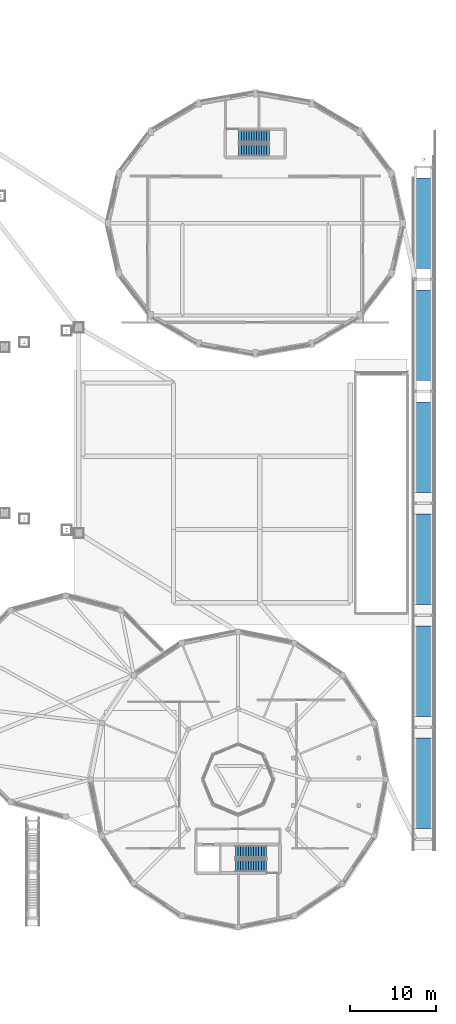
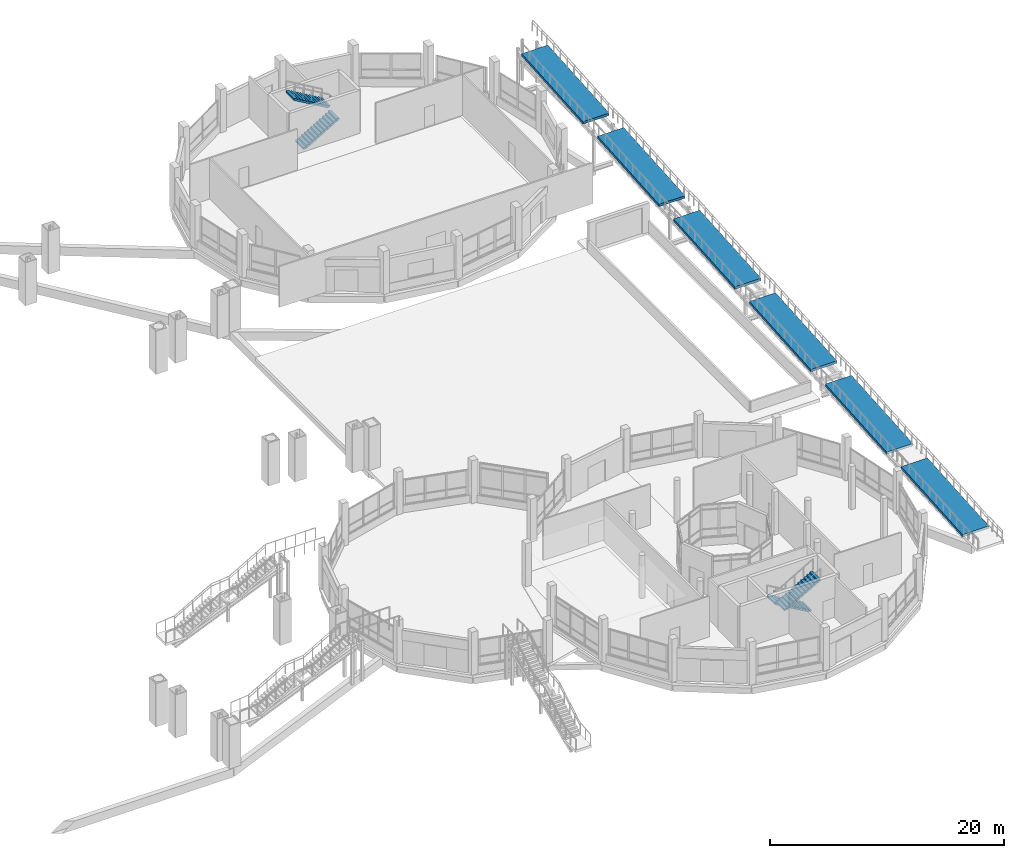
# One storey, part 115 of 129: 6 ramp flights, 4 stair flights, 3 elements without a shape of their own.
"""IFC4 building model written with IfcOpenShell, lengths in metres."""

import ifcopenshell
import ifcopenshell.guid

model = None  # the IFC model being written
_history = None  # IfcOwnerHistory: only IFC2X3 demands one
_inside = {}  # id of a spatial element -> (the spatial element, [elements in it])
_under = {}  # id of a project, library or spatial element -> (it, [spatial elements below it])
_declared = {}  # id of a project -> (the project, [libraries it declares])
_typed = {}  # id of a type object -> (the type object, [elements of that type])
_made_of = {}  # id of a material, layer set ... -> (it, [elements and type objects made of it])


def new_model(schema):
    """Start an empty IFC model of exactly this schema.

    Asked for "IFC4X3", IfcOpenShell would pick the latest addendum, in which some entities
    have other attributes; the version numbers below select the first issue.
    IFC2X3 requires an IfcOwnerHistory on every rooted entity: one is made here for all.
    """
    global model, _history
    if schema == "IFC4X3":
        model = ifcopenshell.file(schema_version=(4, 3, 0, 0))
    else:
        model = ifcopenshell.file(schema=schema)
    _inside.clear()
    _under.clear()
    _declared.clear()
    _typed.clear()
    _made_of.clear()
    _history = None
    if model.schema == "IFC2X3":
        org = make("IfcOrganization", Name="unknown")
        user = make(
            "IfcPersonAndOrganization",
            ThePerson=make("IfcPerson", FamilyName="unknown"),
            TheOrganization=org,
        )
        app = make(
            "IfcApplication",
            ApplicationDeveloper=org,
            Version="unknown",
            ApplicationFullName="unknown",
            ApplicationIdentifier="unknown",
        )
        _history = make(
            "IfcOwnerHistory",
            OwningUser=user,
            OwningApplication=app,
            ChangeAction="ADDED",
            CreationDate=0,
        )
    return model


def make(cls, **values):
    """One entity of the class cls with the attributes given. An attribute that is None is left unset."""
    return model.create_entity(
        cls, **{name: value for name, value in values.items() if value is not None}
    )


def rooted(cls, **values):
    """An entity with a GlobalId (a new one), such as an element, a storey or a relation."""
    return make(cls, GlobalId=ifcopenshell.guid.new(), OwnerHistory=_history, **values)


def si_unit(unit_type, name, prefix=None):
    """IfcSIUnit, for example si_unit("LENGTHUNIT", "METRE", prefix="MILLI")."""
    return make("IfcSIUnit", UnitType=unit_type, Prefix=prefix, Name=name)


def assignment(units):
    """IfcUnitAssignment: the units of a project."""
    return None if units is None else make("IfcUnitAssignment", Units=units)


def point(xyz):
    """IfcCartesianPoint."""
    return None if xyz is None else make("IfcCartesianPoint", Coordinates=xyz)


def direction(xyz):
    """IfcDirection."""
    return None if xyz is None else make("IfcDirection", DirectionRatios=xyz)


def frame(location, z_axis=None, x_axis=None):
    """IfcAxis2Placement3D, a coordinate frame: its origin and axes. An axis left out is left unset."""
    return make(
        "IfcAxis2Placement3D",
        Location=point(location),
        Axis=direction(z_axis),
        RefDirection=direction(x_axis),
    )


def origin():
    """The frame at (0, 0, 0) with its axes left unset."""
    return frame((0.0, 0.0, 0.0))


def place(relative_to, where):
    """IfcLocalPlacement: puts the frame where relative to a parent placement (None: the world)."""
    return make(
        "IfcLocalPlacement", PlacementRelTo=relative_to, RelativePlacement=where
    )


def context(
    kind, dimensions, precision=None, world=None, true_north=None, identifier=None
):
    """IfcGeometricRepresentationContext, for example the 3D "Model" context."""
    return make(
        "IfcGeometricRepresentationContext",
        ContextIdentifier=identifier,
        ContextType=kind,
        CoordinateSpaceDimension=dimensions,
        Precision=precision,
        WorldCoordinateSystem=world,
        TrueNorth=true_north,
    )


def subcontext(parent, identifier, kind, view, scale=None):
    """IfcGeometricRepresentationSubContext, for example "Body" below "Model"."""
    return make(
        "IfcGeometricRepresentationSubContext",
        ContextIdentifier=identifier,
        ContextType=kind,
        ParentContext=parent,
        TargetScale=scale,
        TargetView=view,
    )


def project(units=None, contexts=None):
    """IfcProject with its units and contexts."""
    return rooted(
        "IfcProject",
        Name="project",
        RepresentationContexts=contexts,
        UnitsInContext=assignment(units),
    )


def spatial(cls, under=None, at=None, **own):
    """A site, building, storey or space (cls), placed at a placement, below another one or the project."""
    s = rooted(cls, ObjectPlacement=at, **own)
    if under is not None:
        _under.setdefault(under.id(), (under, []))[1].append(s)
    return s


def polyline(points):
    """IfcPolyline through the points."""
    return make("IfcPolyline", Points=[point(p) for p in points])


def outline(outer, holes=None, kind="AREA"):
    """IfcArbitraryClosedProfileDef: a profile drawn as a closed curve; with holes, ...WithVoids."""
    if holes is None:
        return make("IfcArbitraryClosedProfileDef", ProfileType=kind, OuterCurve=outer)
    return make(
        "IfcArbitraryProfileDefWithVoids",
        ProfileType=kind,
        OuterCurve=outer,
        InnerCurves=holes,
    )


def extrude(swept, where, along, depth):
    """IfcExtrudedAreaSolid: the profile swept, set in the frame where, extruded along a direction by depth."""
    return make(
        "IfcExtrudedAreaSolid",
        SweptArea=swept,
        Position=where,
        ExtrudedDirection=direction(along),
        Depth=depth,
    )


def shape(context_of_items, identifier, shape_type, items):
    """IfcShapeRepresentation: the items that make up one representation, for example the "Body"."""
    return make(
        "IfcShapeRepresentation",
        ContextOfItems=context_of_items,
        RepresentationIdentifier=identifier,
        RepresentationType=shape_type,
        Items=items,
    )


def material(Name=None, Category=None):
    """IfcMaterial."""
    return make("IfcMaterial", Name=Name, Category=Category)


def made_of(thing, what):
    """Note that an element or type object is made of a material, layer set ...; save() writes the relation."""
    if what is not None:
        _made_of.setdefault(what.id(), (what, []))[1].append(thing)
    return thing


def type_object(cls, material=None, **own):
    """A type object (cls), such as IfcWallType, which elements share."""
    return made_of(rooted(cls, **own), material)


def element(
    cls,
    number,
    at=None,
    inside=None,
    cuts=None,
    type_object=None,
    material=None,
    context=None,
    identifier="Body",
    shape_type=None,
    held_by="IfcProductDefinitionShape",
    body=None,
    shapes=None,
    **own,
):
    """One element of the class cls, such as IfcWall. Its Tag is "e" and its number.

    at: its placement. inside: the storey or other place that contains it. cuts: it is an
    opening in that element (IfcRelVoidsElement). A single representation is given by context,
    identifier, shape_type and body (its items); several are given by shapes. held_by: the class
    of the entity that holds the representations. save() writes the other relations.
    """
    e = rooted(cls, Tag="e%d" % number, ObjectPlacement=at, **own)
    if body is not None:
        shapes = [shape(context, identifier, shape_type, body)]
    if shapes is not None:
        e.Representation = make(held_by, Representations=shapes)
    if inside is not None:
        _inside.setdefault(inside.id(), (inside, []))[1].append(e)
    if cuts is not None:
        rooted(
            "IfcRelVoidsElement", RelatingBuildingElement=cuts, RelatedOpeningElement=e
        )
    if type_object is not None:
        _typed.setdefault(type_object.id(), (type_object, []))[1].append(e)
    return made_of(e, material)


def aggregate(whole, parts):
    """IfcRelAggregates: a whole, such as a stair, and the parts it consists of."""
    return rooted("IfcRelAggregates", RelatingObject=whole, RelatedObjects=parts)


def save(model, path):
    """Write the relations noted so far, then the file.

    IfcRelAggregates (storeys below a building ...), IfcRelContainedInSpatialStructure (elements
    in a storey), IfcRelDefinesByType, IfcRelAssociatesMaterial and IfcRelDeclares: one each for
    every whole, place, type object, material and project.
    """
    for whole, parts in _under.values():
        aggregate(whole, parts)
    for where, things in _inside.values():
        rooted(
            "IfcRelContainedInSpatialStructure",
            RelatedElements=things,
            RelatingStructure=where,
        )
    for kind, things in _typed.values():
        rooted("IfcRelDefinesByType", RelatedObjects=things, RelatingType=kind)
    for what, things in _made_of.values():
        rooted("IfcRelAssociatesMaterial", RelatedObjects=things, RelatingMaterial=what)
    for by, libraries in _declared.values():
        rooted("IfcRelDeclares", RelatingContext=by, RelatedDefinitions=libraries)
    model.write(path)


model = new_model("IFC4")

# Units and contexts
model_context = context("Model", 3, precision=1e-05, world=origin(), true_north=direction((0.0, 1.0)))
body_context = subcontext(model_context, "Body", "Model", "MODEL_VIEW")
ifc_project = project(units=[si_unit("LENGTHUNIT", "METRE"), si_unit("AREAUNIT", "SQUARE_METRE"), si_unit("VOLUMEUNIT", "CUBIC_METRE"), si_unit("PLANEANGLEUNIT", "RADIAN"), si_unit("MASSUNIT", "GRAM", prefix="KILO")], contexts=[model_context])

# Site, building, storey
site_placement = place(None, origin())
site = spatial("IfcSite", under=ifc_project, at=site_placement, CompositionType="ELEMENT")
building_placement = place(site_placement, origin())
building = spatial("IfcBuilding", under=site, at=building_placement, Name="Vespera Passage Community Centre", CompositionType="ELEMENT")
storey_placement = place(building_placement, origin())
storey = spatial("IfcBuildingStorey", under=building, at=storey_placement, Name="L00", CompositionType="ELEMENT", Elevation=0.0)

# Stair, stair flights
ifc_material_1 = material(Name="Concrete f'c 35 MPa", Category="concrete")
stair_type_1 = type_object("IfcStairType", Name="ST-T08", PredefinedType="HALF_TURN_STAIR", material=ifc_material_1)
stair_1_placement = place(storey_placement, origin())
stair_1 = element("IfcStair", 1, at=stair_1_placement, inside=storey, type_object=stair_type_1, Name="L00 Core C6 Exit Stair ST07", PredefinedType="HALF_TURN_STAIR")
ifc_material_2 = material(Name="Concrete f'c 35 MPa", Category="concrete")
stair_flight_type_1 = type_object("IfcStairFlightType", Name="STF-T08", PredefinedType="STRAIGHT", material=ifc_material_2)
stair_flight_1_placement = place(storey_placement, frame((141.074951171875, 98.0, 0.0), z_axis=(0.0, 0.0, 1.0), x_axis=(1.0, 0.0, 0.0)))
stair_flight_1 = element("IfcStairFlight", 2, at=stair_flight_1_placement, type_object=stair_flight_type_1, Name="ST07 flight 1", NumberOfRisers=13, NumberOfTreads=12, PredefinedType="STRAIGHT", RiserHeight=0.173076923, TreadLength=0.295, context=body_context, shape_type="SweptSolid", body=[
    extrude(outline(polyline([(0.0, 0.0), (0.0, 0.173095703125), (0.294921875, 0.173095703125), (0.294921875, 0.34619140625), (0.590087890625, 0.34619140625), (0.590087890625, 0.519287109375), (0.885009765625, 0.519287109375), (0.885009765625, 0.6923828125), (1.179931640625, 0.6923828125), (1.179931640625, 0.865478515625), (1.47509765625, 0.865478515625), (1.47509765625, 1.03857421875), (1.77001953125, 1.03857421875), (1.77001953125, 1.21142578125), (2.06494140625, 1.21142578125), (2.06494140625, 1.384521484375), (2.360107421875, 1.384521484375), (2.360107421875, 1.5576171875), (2.655029296875, 1.5576171875), (2.655029296875, 1.730712890625), (2.949951171875, 1.730712890625), (2.949951171875, 1.90380859375), (3.2451171875, 1.90380859375), (3.2451171875, 2.076904296875), (3.5400390625, 2.076904296875), (3.5400390625, 2.25), (3.5400390625, 1.903076171875), (0.296142578125, 0.0), (0.0, 0.0)])), frame((0.0, 0.699951171875, 0.0), z_axis=(0.0, -1.0, 0.0), x_axis=(1.0, 0.0, 0.0)), (0.0, 0.0, 1.0), 1.39990234375),
])
stair_flight_2_placement = place(storey_placement, frame((144.614990234375, 99.60009765625, 2.25), z_axis=(0.0, 0.0, 1.0), x_axis=(-1.0, 0.0, 0.0)))
stair_flight_2 = element("IfcStairFlight", 3, at=stair_flight_2_placement, type_object=stair_flight_type_1, Name="ST07 flight 2", NumberOfRisers=13, NumberOfTreads=12, PredefinedType="STRAIGHT", RiserHeight=0.173076923, TreadLength=0.295, context=body_context, shape_type="SweptSolid", body=[
    extrude(outline(polyline([(0.0, 0.0), (0.0, 0.173095703125), (0.294921875, 0.173095703125), (0.294921875, 0.34619140625), (0.590087890625, 0.34619140625), (0.590087890625, 0.519287109375), (0.885009765625, 0.519287109375), (0.885009765625, 0.6923828125), (1.179931640625, 0.6923828125), (1.179931640625, 0.865478515625), (1.47509765625, 0.865478515625), (1.47509765625, 1.03857421875), (1.77001953125, 1.03857421875), (1.77001953125, 1.21142578125), (2.06494140625, 1.21142578125), (2.06494140625, 1.384521484375), (2.360107421875, 1.384521484375), (2.360107421875, 1.5576171875), (2.655029296875, 1.5576171875), (2.655029296875, 1.730712890625), (2.949951171875, 1.730712890625), (2.949951171875, 1.90380859375), (3.2451171875, 1.90380859375), (3.2451171875, 2.076904296875), (3.5400390625, 2.076904296875), (3.5400390625, 2.25), (3.5400390625, 1.903076171875), (0.296142578125, 0.0), (0.0, 0.0)])), frame((0.0, 0.699951171875, 0.0), z_axis=(0.0, -1.0, 0.0), x_axis=(1.0, 0.0, 0.0)), (0.0, 0.0, 1.0), 1.39990234375),
])
aggregate(stair_1, [stair_flight_1, stair_flight_2])

ifc_material_3 = material(Name="Concrete f'c 35 MPa", Category="concrete")
stair_type_2 = type_object("IfcStairType", Name="ST-T11", PredefinedType="HALF_TURN_STAIR", material=ifc_material_3)
stair_2_placement = place(storey_placement, origin())
stair_2 = element("IfcStair", 4, at=stair_2_placement, inside=storey, type_object=stair_type_2, Name="L00 Core C7 Exit Stair ST08", PredefinedType="HALF_TURN_STAIR")
ifc_material_4 = material(Name="Concrete f'c 35 MPa", Category="concrete")
stair_flight_type_2 = type_object("IfcStairFlightType", Name="STF-T11", PredefinedType="STRAIGHT", material=ifc_material_4)
stair_flight_3_placement = place(storey_placement, frame((144.294921875, 16.60009765625, 0.0), z_axis=(0.0, 0.0, 1.0), x_axis=(-1.0, 0.0, 0.0)))
stair_flight_3 = element("IfcStairFlight", 5, at=stair_flight_3_placement, type_object=stair_flight_type_2, Name="ST08 flight 1", NumberOfRisers=13, NumberOfTreads=12, PredefinedType="STRAIGHT", RiserHeight=0.173076923, TreadLength=0.3, context=body_context, shape_type="SweptSolid", body=[
    extrude(outline(polyline([(0.0, 0.0), (0.0, 0.173095703125), (0.300048828125, 0.173095703125), (0.300048828125, 0.34619140625), (0.60009765625, 0.34619140625), (0.60009765625, 0.519287109375), (0.89990234375, 0.519287109375), (0.89990234375, 0.6923828125), (1.199951171875, 0.6923828125), (1.199951171875, 0.865478515625), (1.5, 0.865478515625), (1.5, 1.03857421875), (1.800048828125, 1.03857421875), (1.800048828125, 1.21142578125), (2.10009765625, 1.21142578125), (2.10009765625, 1.384521484375), (2.39990234375, 1.384521484375), (2.39990234375, 1.5576171875), (2.699951171875, 1.5576171875), (2.699951171875, 1.730712890625), (3.0, 1.730712890625), (3.0, 1.90380859375), (3.300048828125, 1.90380859375), (3.300048828125, 2.076904296875), (3.60009765625, 2.076904296875), (3.60009765625, 2.25), (3.60009765625, 1.90380859375), (0.300048828125, 0.0), (0.0, 0.0)])), frame((0.0, 0.699951171875, 0.0), z_axis=(0.0, -1.0, 0.0), x_axis=(1.0, 0.0, 0.0)), (0.0, 0.0, 1.0), 1.39990234375),
])
stair_flight_4_placement = place(storey_placement, frame((140.695068359375, 15.0, 2.25), z_axis=(0.0, 0.0, 1.0), x_axis=(1.0, 0.0, 0.0)))
stair_flight_4 = element("IfcStairFlight", 6, at=stair_flight_4_placement, type_object=stair_flight_type_2, Name="ST08 flight 2", NumberOfRisers=13, NumberOfTreads=12, PredefinedType="STRAIGHT", RiserHeight=0.173076923, TreadLength=0.3, context=body_context, shape_type="SweptSolid", body=[
    extrude(outline(polyline([(0.0, 0.0), (0.0, 0.173095703125), (0.300048828125, 0.173095703125), (0.300048828125, 0.34619140625), (0.60009765625, 0.34619140625), (0.60009765625, 0.519287109375), (0.89990234375, 0.519287109375), (0.89990234375, 0.6923828125), (1.199951171875, 0.6923828125), (1.199951171875, 0.865478515625), (1.5, 0.865478515625), (1.5, 1.03857421875), (1.800048828125, 1.03857421875), (1.800048828125, 1.21142578125), (2.10009765625, 1.21142578125), (2.10009765625, 1.384521484375), (2.39990234375, 1.384521484375), (2.39990234375, 1.5576171875), (2.699951171875, 1.5576171875), (2.699951171875, 1.730712890625), (3.0, 1.730712890625), (3.0, 1.90380859375), (3.300048828125, 1.90380859375), (3.300048828125, 2.076904296875), (3.60009765625, 2.076904296875), (3.60009765625, 2.25), (3.60009765625, 1.90380859375), (0.300048828125, 0.0), (0.0, 0.0)])), frame((0.0, 0.699951171875, 0.0), z_axis=(0.0, -1.0, 0.0), x_axis=(1.0, 0.0, 0.0)), (0.0, 0.0, 1.0), 1.39990234375),
])
aggregate(stair_2, [stair_flight_3, stair_flight_4])

# Ramp, ramp flights
ifc_material_5 = material(Name="Concrete f'c 35 MPa", Category="concrete")
ramp_type = type_object("IfcRampType", Name="RMP-BRIDGE", PredefinedType="STRAIGHT_RUN_RAMP", material=ifc_material_5)
ramp_placement = place(storey_placement, origin())
ramp = element("IfcRamp", 7, at=ramp_placement, inside=storey, type_object=ramp_type, Name="East Court Ramped Garden Bridge RB1", PredefinedType="STRAIGHT_RUN_RAMP")
ifc_material_6 = material(Name="Concrete f'c 35 MPa", Category="concrete")
ramp_flight_type = type_object("IfcRampFlightType", Name="RMP-FLIGHT-BRIDGE", PredefinedType="STRAIGHT", material=ifc_material_6)
ramp_flight_1_placement = place(storey_placement, frame((162.5, 19.300048828125, 0.0), z_axis=(0.0, 0.0, 1.0), x_axis=(0.0, 1.0, 0.0)))
ramp_flight_1 = element("IfcRampFlight", 8, at=ramp_flight_1_placement, inside=storey, type_object=ramp_flight_type, Name="Ramped Garden Bridge Flight 1", PredefinedType="STRAIGHT", context=body_context, shape_type="SweptSolid", body=[
    extrude(outline(polyline([(0.0, 0.0), (10.5, 0.75), (10.5, 0.489990234375), (0.0, -0.260009765625), (0.0, 0.0)])), frame((0.0, 1.300048828125, 0.0), z_axis=(0.0, -1.0, 0.0), x_axis=(1.0, 0.0, 0.0)), (0.0, 0.0, 1.0), 2.60009765625),
])
ramp_flight_2_placement = place(storey_placement, frame((162.5, 32.300048828125, 0.75), z_axis=(0.0, 0.0, 1.0), x_axis=(0.0, 1.0, 0.0)))
ramp_flight_2 = element("IfcRampFlight", 9, at=ramp_flight_2_placement, inside=storey, type_object=ramp_flight_type, Name="Ramped Garden Bridge Flight 2", PredefinedType="STRAIGHT", context=body_context, shape_type="SweptSolid", body=[
    extrude(outline(polyline([(0.0, 0.0), (10.5, 0.75), (10.5, 0.489990234375), (0.0, -0.260009765625), (0.0, 0.0)])), frame((0.0, 1.300048828125, 0.0), z_axis=(0.0, -1.0, 0.0), x_axis=(1.0, 0.0, 0.0)), (0.0, 0.0, 1.0), 2.60009765625),
])
ramp_flight_3_placement = place(storey_placement, frame((162.5, 45.300048828125, 1.5), z_axis=(0.0, 0.0, 1.0), x_axis=(0.0, 1.0, 0.0)))
ramp_flight_3 = element("IfcRampFlight", 10, at=ramp_flight_3_placement, inside=storey, type_object=ramp_flight_type, Name="Ramped Garden Bridge Flight 3", PredefinedType="STRAIGHT", context=body_context, shape_type="SweptSolid", body=[
    extrude(outline(polyline([(0.0, 0.0), (10.5, 0.75), (10.5, 0.489990234375), (0.0, -0.260009765625), (0.0, 0.0)])), frame((0.0, 1.300048828125, 0.0), z_axis=(0.0, -1.0, 0.0), x_axis=(1.0, 0.0, 0.0)), (0.0, 0.0, 1.0), 2.60009765625),
])
ramp_flight_4_placement = place(storey_placement, frame((162.5, 58.300048828125, 2.25), z_axis=(0.0, 0.0, 1.0), x_axis=(0.0, 1.0, 0.0)))
ramp_flight_4 = element("IfcRampFlight", 11, at=ramp_flight_4_placement, inside=storey, type_object=ramp_flight_type, Name="Ramped Garden Bridge Flight 4", PredefinedType="STRAIGHT", context=body_context, shape_type="SweptSolid", body=[
    extrude(outline(polyline([(0.0, 0.0), (10.5, 0.75), (10.5, 0.489990234375), (0.0, -0.260009765625), (0.0, 0.0)])), frame((0.0, 1.300048828125, 0.0), z_axis=(0.0, -1.0, 0.0), x_axis=(1.0, 0.0, 0.0)), (0.0, 0.0, 1.0), 2.60009765625),
])
ramp_flight_5_placement = place(storey_placement, frame((162.5, 71.300048828125, 3.0), z_axis=(0.0, 0.0, 1.0), x_axis=(0.0, 1.0, 0.0)))
ramp_flight_5 = element("IfcRampFlight", 12, at=ramp_flight_5_placement, inside=storey, type_object=ramp_flight_type, Name="Ramped Garden Bridge Flight 5", PredefinedType="STRAIGHT", context=body_context, shape_type="SweptSolid", body=[
    extrude(outline(polyline([(0.0, 0.0), (10.5, 0.75), (10.5, 0.489990234375), (0.0, -0.260009765625), (0.0, 0.0)])), frame((0.0, 1.300048828125, 0.0), z_axis=(0.0, -1.0, 0.0), x_axis=(1.0, 0.0, 0.0)), (0.0, 0.0, 1.0), 2.60009765625),
])
ramp_flight_6_placement = place(storey_placement, frame((162.5, 84.300048828125, 3.75), z_axis=(0.0, 0.0, 1.0), x_axis=(0.0, 1.0, 0.0)))
ramp_flight_6 = element("IfcRampFlight", 13, at=ramp_flight_6_placement, inside=storey, type_object=ramp_flight_type, Name="Ramped Garden Bridge Flight 6", PredefinedType="STRAIGHT", context=body_context, shape_type="SweptSolid", body=[
    extrude(outline(polyline([(0.0, 0.0), (10.5, 0.75), (10.5, 0.489990234375), (0.0, -0.260009765625), (0.0, 0.0)])), frame((0.0, 1.300048828125, 0.0), z_axis=(0.0, -1.0, 0.0), x_axis=(1.0, 0.0, 0.0)), (0.0, 0.0, 1.0), 2.60009765625),
])
aggregate(ramp, [ramp_flight_1, ramp_flight_2, ramp_flight_3, ramp_flight_4, ramp_flight_5, ramp_flight_6])

save(model, "model.ifc")
